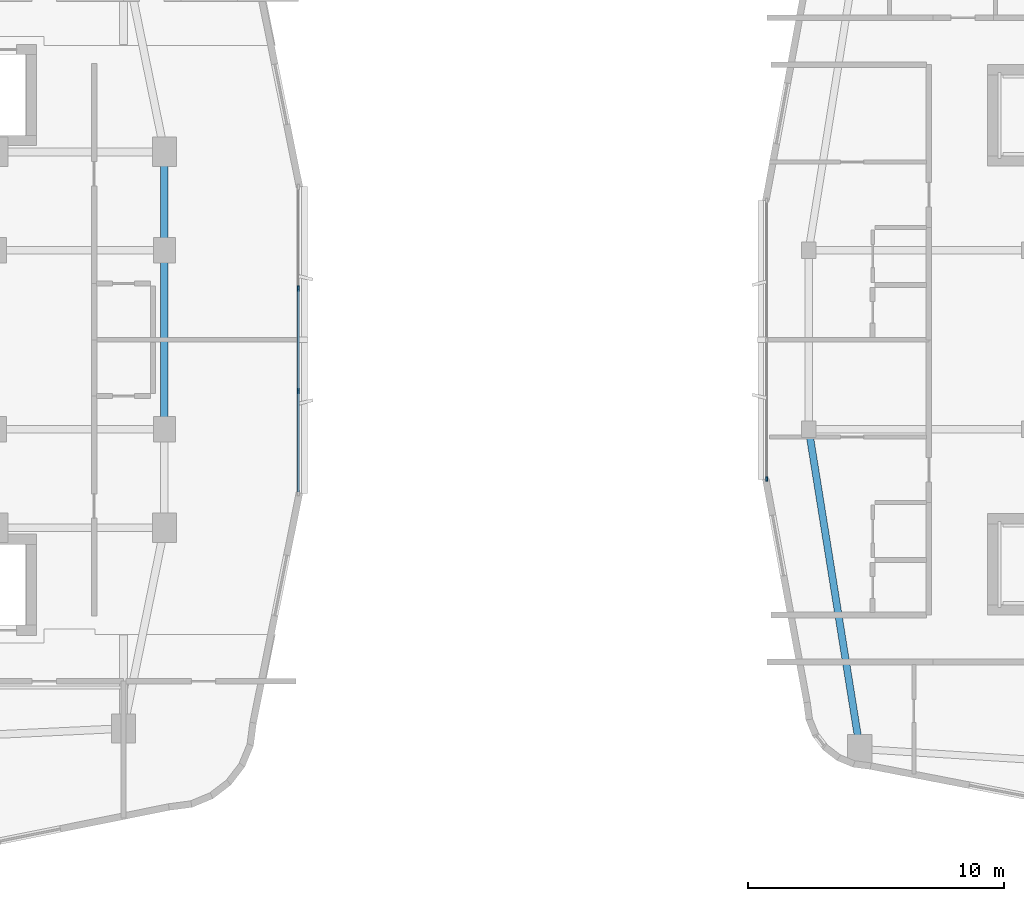
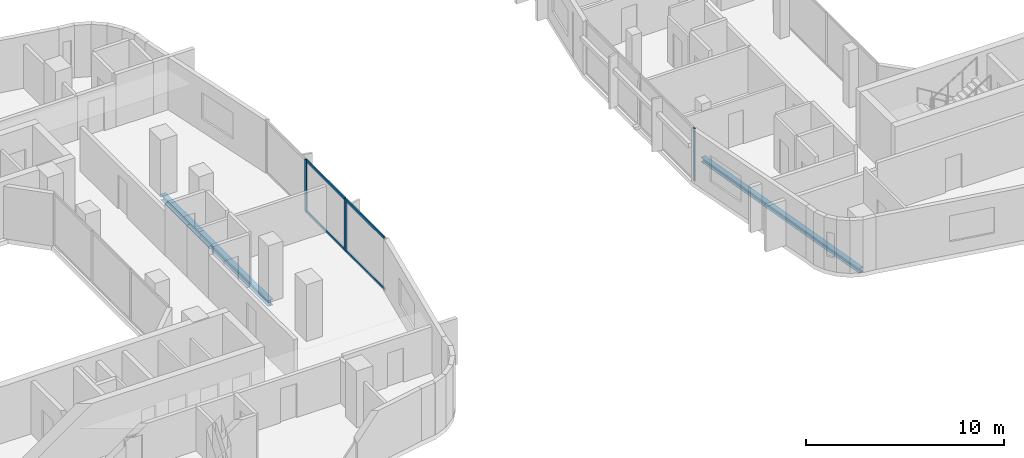
# One storey, part 5 of 26: 7 members, 3 beams, 2 elements without a shape of their own.
"""IFC4 building model written with IfcOpenShell, lengths in metres."""

from ifc_helpers import new_model, si_unit, derived_unit, direction, frame, origin, origin_2d, place, context, subcontext, project, spatial, rectangle, i_section, extrude, material, layer, layer_set, material_profile, profile_set, type_object, element, aggregate, save


model = new_model("IFC4")

# Units and contexts
model_context = context("Model", 3, precision=1e-05, world=origin(), true_north=direction((0.0, 1.0)))
body_context = subcontext(model_context, "Body", "Model", "MODEL_VIEW")
ifc_project = project(units=[si_unit("LENGTHUNIT", "METRE"), si_unit("AREAUNIT", "SQUARE_METRE"), si_unit("VOLUMEUNIT", "CUBIC_METRE"), si_unit("PLANEANGLEUNIT", "RADIAN"), si_unit("MASSUNIT", "GRAM", prefix="KILO"), derived_unit("THERMALTRANSMITTANCEUNIT", [(si_unit("POWERUNIT", "WATT"), 1), (si_unit("LENGTHUNIT", "METRE"), -2), (si_unit("THERMODYNAMICTEMPERATUREUNIT", "KELVIN"), -1)])], contexts=[model_context])

# Site, building, storey
site_placement = place(None, origin())
site = spatial("IfcSite", under=ifc_project, at=site_placement, CompositionType="ELEMENT")
building_placement = place(site_placement, origin())
building = spatial("IfcBuilding", under=site, at=building_placement, Name="Kivonza Crest Hotel", CompositionType="ELEMENT")
storey_placement = place(building_placement, frame((0.0, 0.0, 127.5)))
storey = spatial("IfcBuildingStorey", under=building, at=storey_placement, Name="L34", CompositionType="ELEMENT", Elevation=127.5)

# Beams
ifc_material_1 = material(Name="Steel S355", Category="steel")
ifc_material_profile_1 = material_profile(ifc_material_1, i_section(OverallWidth=0.280029296875, OverallDepth=0.280029296875, WebThickness=0.010498046875, FlangeThickness=0.01806640625, FilletRadius=0.02392578125, at=origin_2d()), Name="HEB 280")
ifc_profile_set_1 = profile_set([ifc_material_profile_1], Name="Steel S355")
beam_type_1 = type_object("IfcBeamType", Name="BM-HEB280", PredefinedType="SPANDREL", material=ifc_profile_set_1)
beam_1_placement = place(storey_placement, frame((61.0, 21.5, -0.389892578125), z_axis=(0.157990501107, -0.987440631917, 0.0), x_axis=(0.987440631917, 0.157990501107, 0.0)))
element("IfcBeam", 1, at=beam_1_placement, inside=storey, type_object=beam_type_1, Name="Companion Tower T2 L34 perimeter spandrel W1-SW", PredefinedType="SPANDREL", context=body_context, shape_type="SweptSolid", body=[
    extrude(i_section(OverallWidth=0.280029296875, OverallDepth=0.280029296875, WebThickness=0.010498046875, FlangeThickness=0.01806640625, FilletRadius=0.02392578125, at=origin_2d()), origin(), (0.0, 0.0, 1.0), 12.658935546875),
])
ifc_material_profile_2 = material_profile(ifc_material_1, i_section(OverallWidth=0.300048828125, OverallDepth=0.360107421875, WebThickness=0.012451171875, FlangeThickness=0.0224609375, FilletRadius=0.027099609375, at=origin_2d()), Name="HEB 360")
ifc_profile_set_2 = profile_set([ifc_material_profile_2], Name="Steel S355")
beam_type_2 = type_object("IfcBeamType", Name="BM-HEB360", PredefinedType="SPANDREL", material=ifc_profile_set_2)
beam_2_placement = place(storey_placement, frame((35.800048828125, 21.5, -0.4599609375), z_axis=(0.0, 1.0, 0.0), x_axis=(-1.0, 0.0, 0.0)))
element("IfcBeam", 2, at=beam_2_placement, inside=storey, type_object=beam_type_2, Name="Tower T1 L34 perimeter spandrel E1-E2", PredefinedType="SPANDREL", context=body_context, shape_type="SweptSolid", body=[
    extrude(i_section(OverallWidth=0.300048828125, OverallDepth=0.360107421875, WebThickness=0.012451171875, FlangeThickness=0.0224609375, FilletRadius=0.027099609375, at=origin_2d()), origin(), (0.0, 0.0, 1.0), 7.0),
])
beam_3_placement = place(storey_placement, frame((35.800048828125, 28.5, -0.4599609375), z_axis=(0.0, 1.0, 0.0), x_axis=(-1.0, 0.0, 0.0)))
element("IfcBeam", 3, at=beam_3_placement, inside=storey, type_object=beam_type_2, Name="Tower T1 L34 perimeter spandrel E2-PNE", PredefinedType="SPANDREL", context=body_context, shape_type="SweptSolid", body=[
    extrude(i_section(OverallWidth=0.300048828125, OverallDepth=0.360107421875, WebThickness=0.012451171875, FlangeThickness=0.0224609375, FilletRadius=0.027099609375, at=origin_2d()), origin(), (0.0, 0.0, 1.0), 3.85009765625),
])

# Curtain wall, member
ifc_material_2 = material(Name="Anodised bronze aluminium and low-E double glazing", Category="aluminium")
ifc_layer_1 = layer(ifc_material_2, 0.179931640625)
ifc_layer_set_1 = layer_set([ifc_layer_1], Name="Anodised bronze aluminium and low-E double glazing")
curtain_wall_type_1 = type_object("IfcCurtainWallType", Name="CW-SYS-4", PredefinedType="NOTDEFINED", material=ifc_layer_set_1)
curtain_wall_1_placement = place(storey_placement, origin())
curtain_wall_1 = element("IfcCurtainWall", 4, at=curtain_wall_1_placement, inside=storey, type_object=curtain_wall_type_1, Name="L34 unitised curtain wall CW-T2-L34-35", PredefinedType="NOTDEFINED")
ifc_material_3 = material(Name="Anodised bronze aluminium", Category="aluminium")
ifc_material_profile_3 = material_profile(ifc_material_3, rectangle(XDim=0.06494140625, YDim=0.179931640625, at=origin_2d()), Name="CW-M 65x180")
ifc_profile_set_3 = profile_set([ifc_material_profile_3], Name="Anodised bronze aluminium")
member_type_1 = type_object("IfcMemberType", Name="CW-MUL-65x180", PredefinedType="MULLION", material=ifc_profile_set_3)
member_1_placement = place(storey_placement, frame((59.360107421875, 19.552490234375, 0.0), z_axis=(0.0, 0.0, 1.0), x_axis=(1.0, 0.0, 0.0)))
member_1 = element("IfcMember", 5, at=member_1_placement, type_object=member_type_1, Name="CW-4 mullion 3", PredefinedType="MULLION", context=body_context, shape_type="SweptSolid", body=[
    extrude(rectangle(XDim=0.06494140625, YDim=0.179931640625, at=origin_2d()), origin(), (0.0, 0.0, 1.0), 3.25),
])
aggregate(curtain_wall_1, [member_1])

# Curtain wall, members
ifc_layer_2 = layer(ifc_material_2, 0.179931640625)
ifc_layer_set_2 = layer_set([ifc_layer_2], Name="Anodised bronze aluminium and low-E double glazing")
curtain_wall_type_2 = type_object("IfcCurtainWallType", Name="CW-SYS-3", PredefinedType="NOTDEFINED", material=ifc_layer_set_2)
curtain_wall_2_placement = place(storey_placement, origin())
curtain_wall_2 = element("IfcCurtainWall", 6, at=curtain_wall_2_placement, inside=storey, type_object=curtain_wall_type_2, Name="L34 unitised curtain wall CW-T1-L34-17", PredefinedType="NOTDEFINED")
ifc_material_profile_4 = material_profile(ifc_material_3, rectangle(XDim=0.074951171875, YDim=0.219970703125, at=origin_2d()), Name="CW-M 75x220")
ifc_profile_set_4 = profile_set([ifc_material_profile_4], Name="Anodised bronze aluminium")
member_type_2 = type_object("IfcMemberType", Name="CW-MUL-75x220", PredefinedType="MULLION", material=ifc_profile_set_4)
member_2_placement = place(storey_placement, frame((41.0400390625, 22.993408203125, 0.0), z_axis=(0.0, 0.0, 1.0), x_axis=(-1.0, 0.0, 0.0)))
member_2 = element("IfcMember", 7, at=member_2_placement, type_object=member_type_2, Name="CW-3 mullion 2", PredefinedType="MULLION", context=body_context, shape_type="SweptSolid", body=[
    extrude(rectangle(XDim=0.074951171875, YDim=0.219970703125, at=origin_2d()), origin(), (0.0, 0.0, 1.0), 3.219970703125),
])
member_3_placement = place(storey_placement, frame((41.0400390625, 27.006591796875, 0.0), z_axis=(0.0, 0.0, 1.0), x_axis=(-1.0, 0.0, 0.0)))
member_3 = element("IfcMember", 8, at=member_3_placement, type_object=member_type_2, Name="CW-3 mullion 3", PredefinedType="MULLION", context=body_context, shape_type="SweptSolid", body=[
    extrude(rectangle(XDim=0.074951171875, YDim=0.219970703125, at=origin_2d()), origin(), (0.0, 0.0, 1.0), 3.219970703125),
])
ifc_material_profile_5 = material_profile(ifc_material_3, rectangle(XDim=0.074951171875, YDim=0.159912109375, at=origin_2d()), Name="CW-T 75x160")
ifc_profile_set_5 = profile_set([ifc_material_profile_5], Name="Anodised bronze aluminium")
member_type_3 = type_object("IfcMemberType", Name="CW-TRN-75x160", PredefinedType="USERDEFINED", material=ifc_profile_set_5)
member_4_placement = place(storey_placement, frame((41.0400390625, 19.054931640625, 0.03759765625), z_axis=(0.0, 1.0, 0.0), x_axis=(-1.0, 0.0, 0.0)))
member_4 = element("IfcMember", 9, at=member_4_placement, type_object=member_type_3, Name="CW-3 transom 1.1", ObjectType="TRANSOM", PredefinedType="USERDEFINED", context=body_context, shape_type="SweptSolid", body=[
    extrude(rectangle(XDim=0.074951171875, YDim=0.159912109375, at=origin_2d()), origin(), (0.0, 0.0, 1.0), 3.90087890625),
])
member_5_placement = place(storey_placement, frame((41.0400390625, 19.054931640625, 3.1826171875), z_axis=(0.0, 1.0, 0.0), x_axis=(-1.0, 0.0, 0.0)))
member_5 = element("IfcMember", 10, at=member_5_placement, type_object=member_type_3, Name="CW-3 transom 1.2", ObjectType="TRANSOM", PredefinedType="USERDEFINED", context=body_context, shape_type="SweptSolid", body=[
    extrude(rectangle(XDim=0.074951171875, YDim=0.159912109375, at=origin_2d()), origin(), (0.0, 0.0, 1.0), 3.90087890625),
])
member_6_placement = place(storey_placement, frame((41.0400390625, 23.03076171875, 0.03759765625), z_axis=(0.0, 1.0, 0.0), x_axis=(-1.0, 0.0, 0.0)))
member_6 = element("IfcMember", 11, at=member_6_placement, type_object=member_type_3, Name="CW-3 transom 2.1", ObjectType="TRANSOM", PredefinedType="USERDEFINED", context=body_context, shape_type="SweptSolid", body=[
    extrude(rectangle(XDim=0.074951171875, YDim=0.159912109375, at=origin_2d()), origin(), (0.0, 0.0, 1.0), 3.9384765625),
])
member_7_placement = place(storey_placement, frame((41.0400390625, 23.03076171875, 3.1826171875), z_axis=(0.0, 1.0, 0.0), x_axis=(-1.0, 0.0, 0.0)))
member_7 = element("IfcMember", 12, at=member_7_placement, type_object=member_type_3, Name="CW-3 transom 2.2", ObjectType="TRANSOM", PredefinedType="USERDEFINED", context=body_context, shape_type="SweptSolid", body=[
    extrude(rectangle(XDim=0.074951171875, YDim=0.159912109375, at=origin_2d()), origin(), (0.0, 0.0, 1.0), 3.9384765625),
])
aggregate(curtain_wall_2, [member_2, member_3, member_4, member_5, member_6, member_7])

save(model, "model.ifc")
